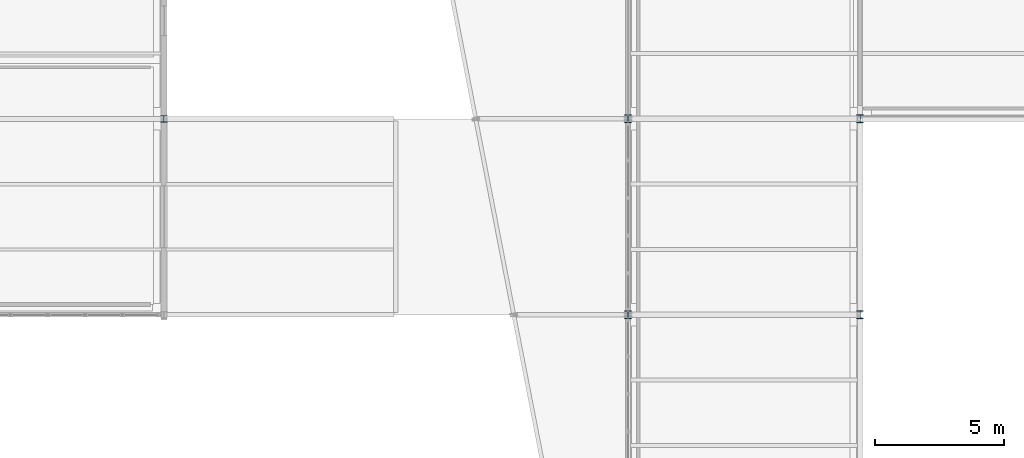
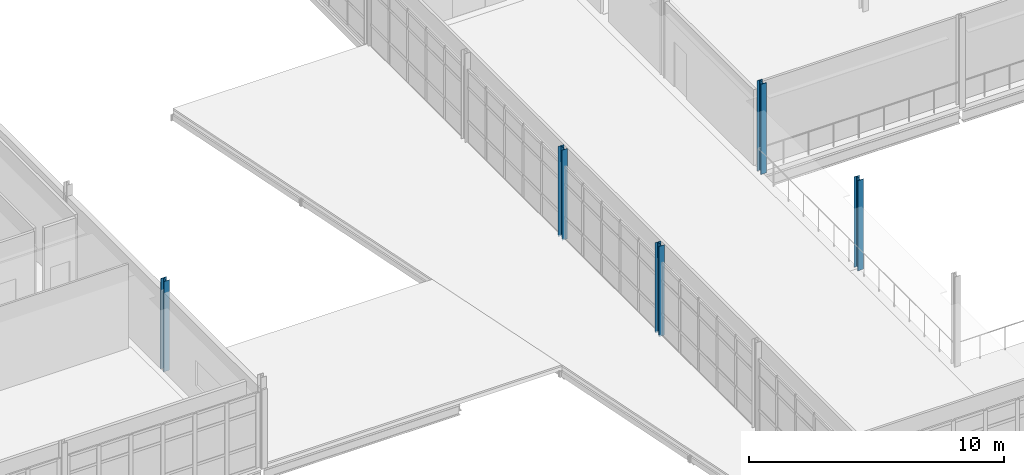
# One storey, part 10 of 96: 5 columns.
"""IFC4 building model written with IfcOpenShell, lengths in metres."""

from ifc_helpers import new_model, si_unit, direction, frame, origin, origin_2d, place, context, subcontext, project, spatial, i_section, extrude, material, material_profile, profile_set, type_object, element, save


model = new_model("IFC4")

# Units and contexts
model_context = context("Model", 3, precision=1e-05, world=origin(), true_north=direction((0.0, 1.0)))
body_context = subcontext(model_context, "Body", "Model", "MODEL_VIEW")
ifc_project = project(units=[si_unit("LENGTHUNIT", "METRE"), si_unit("AREAUNIT", "SQUARE_METRE"), si_unit("VOLUMEUNIT", "CUBIC_METRE"), si_unit("PLANEANGLEUNIT", "RADIAN"), si_unit("MASSUNIT", "GRAM", prefix="KILO")], contexts=[model_context])

# Site, building, storey
site_placement = place(None, origin())
site = spatial("IfcSite", under=ifc_project, at=site_placement, CompositionType="ELEMENT")
building_placement = place(site_placement, origin())
building = spatial("IfcBuilding", under=site, at=building_placement, Name="Caisbarro Railhouse Central Library", CompositionType="ELEMENT")
storey_placement = place(building_placement, frame((0.0, 0.0, 13.679931640625)))
storey = spatial("IfcBuildingStorey", under=building, at=storey_placement, Name="L03", CompositionType="ELEMENT", Elevation=13.679931640625)

# Columns
ifc_material = material(Name="Steel ASTM A572 Grade 50", Category="steel")
ifc_material_profile_1 = material_profile(ifc_material, i_section(OverallWidth=0.25390625, OverallDepth=0.305908203125, WebThickness=0.0087890625, FlangeThickness=0.0146484375, FilletRadius=0.014892578125, at=origin_2d()), Name="W310X79.0")
ifc_profile_set_1 = profile_set([ifc_material_profile_1], Name="Steel ASTM A572 Grade 50")
column_type_1 = type_object("IfcColumnType", Name="COL-C07", PredefinedType="COLUMN", material=ifc_profile_set_1)
for number, where, z_axis, x_axis, name in (
    (1, (117.0, 83.60009765625, 0.0), (0.0, 0.0, 1.0), (1.0, 0.0, 0.0), "C07 column L03 (117.0,83.6)"),
    (2, (117.0, 91.199951171875, 0.0), (0.0, 0.0, 1.0), (1.0, 0.0, 0.0), "C07 column L03 (117.0,91.2)"),
    (3, (126.0, 83.60009765625, 0.0), (0.0, 0.0, 1.0), (1.0, 0.0, 0.0), "C07 column L03 (126.0,83.6)"),
    (4, (126.0, 91.199951171875, 0.0), (0.0, 0.0, 1.0), (1.0, 0.0, 0.0), "C07 column L03 (126.0,91.2)"),
):
    element("IfcColumn", number, at=place(storey_placement, frame(where, z_axis=z_axis, x_axis=x_axis)), inside=storey, type_object=column_type_1, Name=name, PredefinedType="COLUMN", context=body_context, shape_type="SweptSolid", body=[
        extrude(i_section(OverallWidth=0.25390625, OverallDepth=0.305908203125, WebThickness=0.0087890625, FlangeThickness=0.0146484375, FilletRadius=0.014892578125, at=origin_2d()), origin(), (0.0, 0.0, 1.0), 4.320068359375),
    ])
ifc_material_profile_2 = material_profile(ifc_material, i_section(OverallWidth=0.25390625, OverallDepth=0.2529296875, WebThickness=0.008544921875, FlangeThickness=0.01416015625, FilletRadius=0.011962890625, at=origin_2d()), Name="W250X73.0")
ifc_profile_set_2 = profile_set([ifc_material_profile_2], Name="Steel ASTM A572 Grade 50")
column_type_2 = type_object("IfcColumnType", Name="COL-C08", PredefinedType="COLUMN", material=ifc_profile_set_2)
column_placement = place(storey_placement, frame((99.0, 91.199951171875, 0.0), z_axis=(0.0, 0.0, 1.0), x_axis=(1.0, 0.0, 0.0)))
element("IfcColumn", 5, at=column_placement, inside=storey, type_object=column_type_2, Name="C08 column L03 (99.0,91.2)", PredefinedType="COLUMN", context=body_context, shape_type="SweptSolid", body=[
    extrude(i_section(OverallWidth=0.25390625, OverallDepth=0.2529296875, WebThickness=0.008544921875, FlangeThickness=0.01416015625, FilletRadius=0.011962890625, at=origin_2d()), origin(), (0.0, 0.0, 1.0), 4.320068359375),
])

save(model, "model.ifc")
